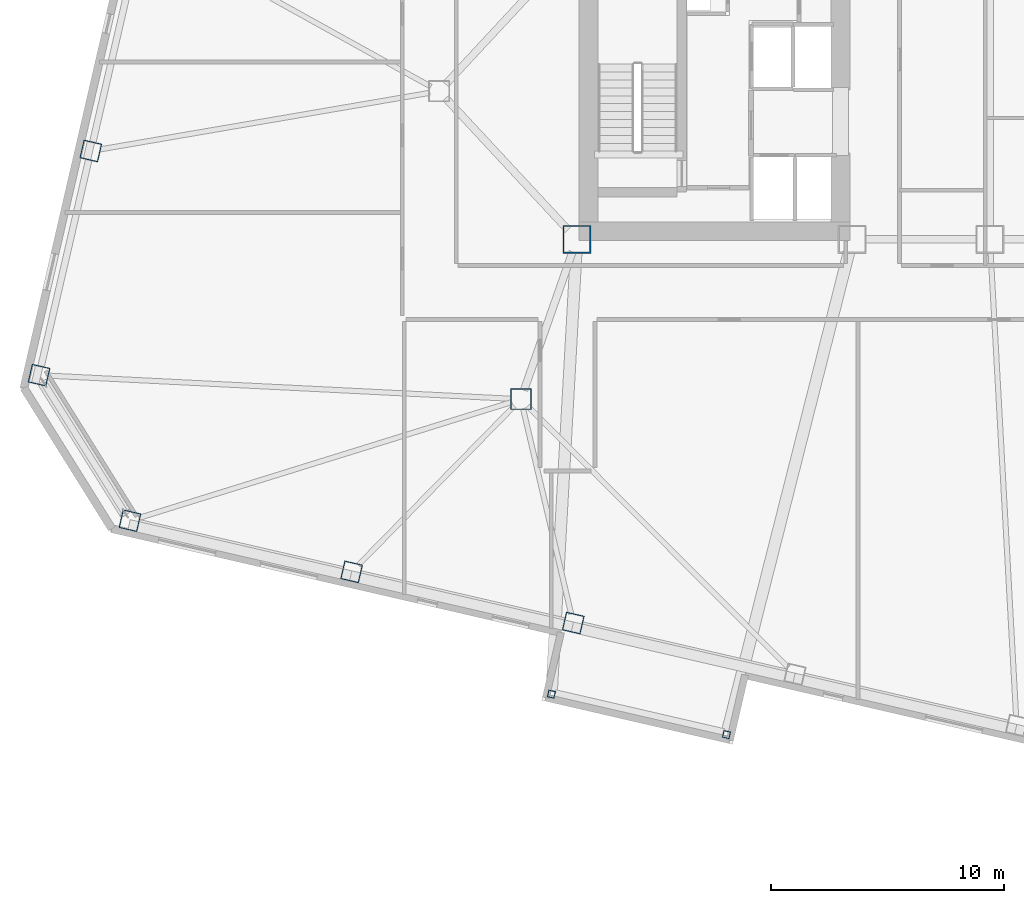
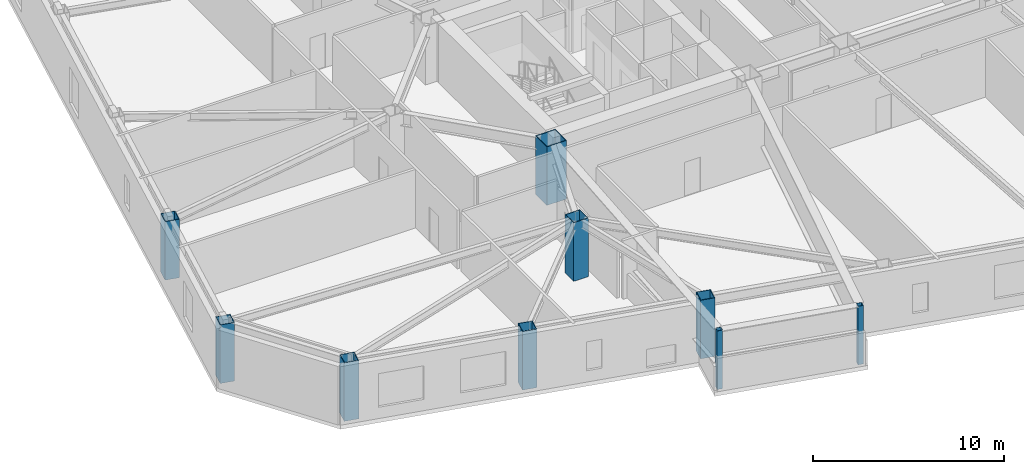
# One storey, part 1 of 18: 9 columns.
"""IFC4 building model written with IfcOpenShell, lengths in metres."""

from ifc_helpers import new_model, si_unit, direction, frame, origin, origin_2d, place, context, subcontext, project, spatial, hollow_rectangle, extrude, material, material_profile, profile_set, type_object, element, save


model = new_model("IFC4")

# Units and contexts
model_context = context("Model", 3, precision=1e-05, world=origin(), true_north=direction((0.0, 1.0)))
body_context = subcontext(model_context, "Body", "Model", "MODEL_VIEW")
ifc_project = project(units=[si_unit("LENGTHUNIT", "METRE"), si_unit("AREAUNIT", "SQUARE_METRE"), si_unit("VOLUMEUNIT", "CUBIC_METRE"), si_unit("PLANEANGLEUNIT", "RADIAN"), si_unit("MASSUNIT", "GRAM", prefix="KILO")], contexts=[model_context])

# Site, building, storey
site_placement = place(None, origin())
site = spatial("IfcSite", under=ifc_project, at=site_placement, CompositionType="ELEMENT")
building_placement = place(site_placement, origin())
building = spatial("IfcBuilding", under=site, at=building_placement, Name="Tavrogorsk Clinical Tower", CompositionType="ELEMENT")
storey_placement = place(building_placement, frame((0.0, 0.0, 47.39990234375)))
storey = spatial("IfcBuildingStorey", under=building, at=storey_placement, Name="L09", CompositionType="ELEMENT", Elevation=47.39990234375)

# Columns
ifc_material_1 = material(Name="Structural steel S390", Category="steel")
ifc_material_profile_1 = material_profile(ifc_material_1, hollow_rectangle(XDim=0.300048828125, YDim=0.300048828125, WallThickness=0.01611328125, at=origin_2d()), Name="SHS-300x300x16")
ifc_profile_set_1 = profile_set([ifc_material_profile_1], Name="Structural steel S390")
column_type_1 = type_object("IfcColumnType", Name="DayroomCol_SHS300", PredefinedType="COLUMN", material=ifc_profile_set_1)
for number, where, z_axis, x_axis, name in (
    (1, (-23.1904296875, -25.83935546875, 0.0), (0.0, 0.0, 1.0), (0.974370064785, -0.224951054344, 0.0), "L09 Day-Room Box Column DRB-01-L"),
    (2, (-15.68798828125, -27.5712890625, 0.0), (0.0, 0.0, 1.0), (0.974370064785, -0.224951054344, 0.0), "L09 Day-Room Box Column DRB-01-R"),
):
    element("IfcColumn", number, at=place(storey_placement, frame(where, z_axis=z_axis, x_axis=x_axis)), inside=storey, type_object=column_type_1, Name=name, PredefinedType="COLUMN", context=body_context, shape_type="SweptSolid", body=[
        extrude(hollow_rectangle(XDim=0.300048828125, YDim=0.300048828125, WallThickness=0.01611328125, at=origin_2d()), origin(), (0.0, 0.0, 1.0), 3.739990234375),
    ])
ifc_material_2 = material(Name="Structural steel S440", Category="steel")
ifc_material_profile_2 = material_profile(ifc_material_2, hollow_rectangle(XDim=1.199951171875, YDim=1.199951171875, WallThickness=0.050048828125, at=origin_2d()), Name="BOX-1200x1200x50")
ifc_profile_set_2 = profile_set([ifc_material_profile_2], Name="Structural steel S440")
column_type_2 = type_object("IfcColumnType", Name="MegaCol_BOX1200", PredefinedType="COLUMN", material=ifc_profile_set_2)
column_1_placement = place(storey_placement, frame((-22.10009765625, -6.35009765625, 0.0), z_axis=(0.0, 0.0, 1.0), x_axis=(1.0, 0.0, 0.0)))
element("IfcColumn", 3, at=column_1_placement, inside=storey, type_object=column_type_2, Name="L09 Mega Column MC-W1", PredefinedType="COLUMN", context=body_context, shape_type="SweptSolid", body=[
    extrude(hollow_rectangle(XDim=1.199951171875, YDim=1.199951171875, WallThickness=0.050048828125, at=origin_2d()), origin(), (0.0, 0.0, 1.0), 3.739990234375),
])
ifc_material_3 = material(Name="Structural steel S440", Category="steel")
ifc_material_profile_3 = material_profile(ifc_material_3, hollow_rectangle(XDim=0.89990234375, YDim=0.89990234375, WallThickness=0.0400390625, at=origin_2d()), Name="BOX-900x900x40")
ifc_profile_set_3 = profile_set([ifc_material_profile_3], Name="Structural steel S440")
column_type_3 = type_object("IfcColumnType", Name="MegaCol_BOX900", PredefinedType="COLUMN", material=ifc_profile_set_3)
column_2_placement = place(storey_placement, frame((-24.5, -13.199951171875, 0.0), z_axis=(0.0, 0.0, 1.0), x_axis=(1.0, 0.0, 0.0)))
element("IfcColumn", 4, at=column_2_placement, inside=storey, type_object=column_type_3, Name="L09 Spine Pilotis Column MC-P1", PredefinedType="COLUMN", context=body_context, shape_type="SweptSolid", body=[
    extrude(hollow_rectangle(XDim=0.89990234375, YDim=0.89990234375, WallThickness=0.0400390625, at=origin_2d()), origin(), (0.0, 0.0, 1.0), 3.739990234375),
])
ifc_material_4 = material(Name="Structural steel S440", Category="steel")
ifc_material_profile_4 = material_profile(ifc_material_4, hollow_rectangle(XDim=0.800048828125, YDim=0.800048828125, WallThickness=0.035888671875, at=origin_2d()), Name="BOX-800x800x36")
ifc_profile_set_4 = profile_set([ifc_material_profile_4], Name="Structural steel S440")
column_type_4 = type_object("IfcColumnType", Name="PerimCol_B1_BOX800", PredefinedType="COLUMN", material=ifc_profile_set_4)
for number, where, z_axis, x_axis, name in (
    (5, (-41.251220703125, -18.406005859375, 0.0), (0.0, 0.0, 1.0), (0.974370064785, -0.224951054344, 0.0), "L09 Perimeter Column S1"),
    (6, (-31.75244140625, -20.598876953125, 0.0), (0.0, 0.0, 1.0), (0.974370064785, -0.224951054344, 0.0), "L09 Perimeter Column S2"),
    (7, (-22.25390625, -22.7919921875, 0.0), (0.0, 0.0, 1.0), (0.974370064785, -0.224951054344, 0.0), "L09 Perimeter Column S3"),
    (8, (-42.93017578125, -2.562255859375, 0.0), (0.0, 0.0, 1.0), (0.974370064785, -0.224951054344, 0.0), "L09 Perimeter Column W4"),
    (9, (-45.148193359375, -12.16943359375, 0.0), (0.0, 0.0, 1.0), (0.974370064785, -0.224951054344, 0.0), "L09 Perimeter Column W5"),
):
    element("IfcColumn", number, at=place(storey_placement, frame(where, z_axis=z_axis, x_axis=x_axis)), inside=storey, type_object=column_type_4, Name=name, PredefinedType="COLUMN", context=body_context, shape_type="SweptSolid", body=[
        extrude(hollow_rectangle(XDim=0.800048828125, YDim=0.800048828125, WallThickness=0.035888671875, at=origin_2d()), origin(), (0.0, 0.0, 1.0), 3.739990234375),
    ])

save(model, "model.ifc")
